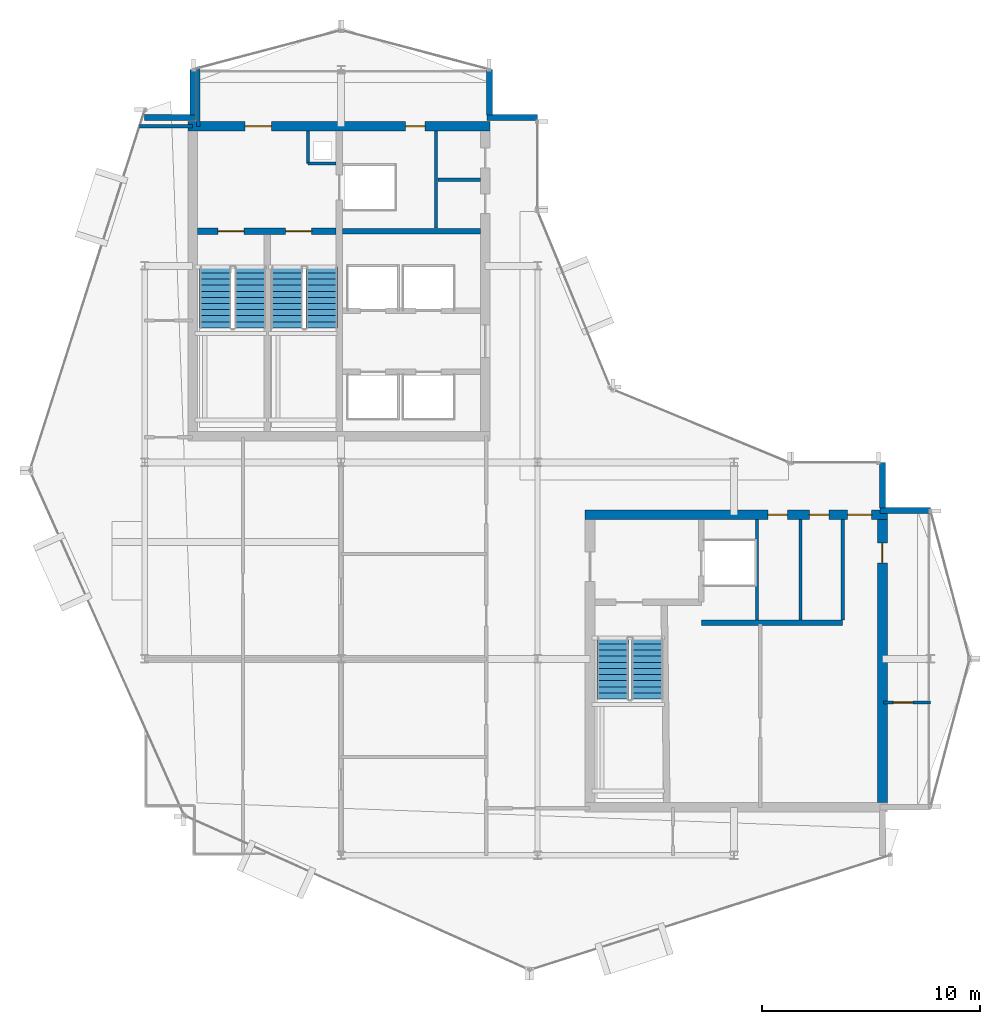
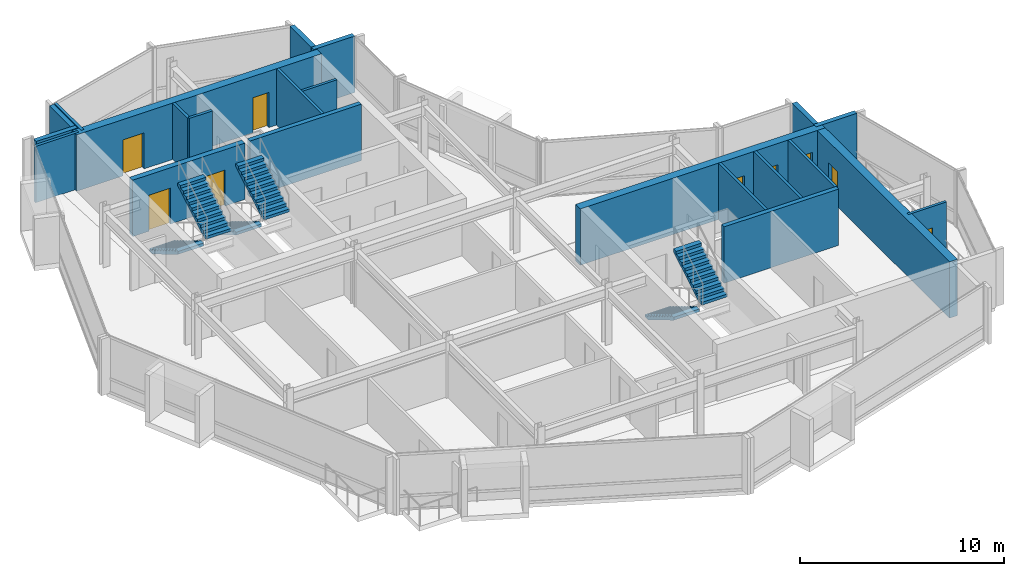
# One storey, part 15 of 19: 22 walls, 9 doors, 6 stair flights, 9 openings, 3 elements without a shape of their own.
"""IFC4 building model written with IfcOpenShell, lengths in metres."""

from ifc_helpers import new_model, si_unit, direction, frame, frame_2d, origin, place, context, subcontext, project, spatial, polyline, rectangle, outline, extrude, material, layer, layer_set, type_object, element, fill, aggregate, save


model = new_model("IFC4")

# Units and contexts
model_context = context("Model", 3, precision=1e-05, world=origin(), true_north=direction((0.0, 1.0)))
body_context = subcontext(model_context, "Body", "Model", "MODEL_VIEW")
ifc_project = project(units=[si_unit("LENGTHUNIT", "METRE"), si_unit("AREAUNIT", "SQUARE_METRE"), si_unit("VOLUMEUNIT", "CUBIC_METRE"), si_unit("PLANEANGLEUNIT", "RADIAN"), si_unit("MASSUNIT", "GRAM", prefix="KILO")], contexts=[model_context])

# Site, building, storey
site_placement = place(None, origin())
site = spatial("IfcSite", under=ifc_project, at=site_placement, CompositionType="ELEMENT")
building_placement = place(site_placement, origin())
building = spatial("IfcBuilding", under=site, at=building_placement, Name="Solvaryn Broadcast Tower", CompositionType="ELEMENT")
storey_placement = place(building_placement, frame((0.0, 0.0, 293.699951171875)))
storey = spatial("IfcBuildingStorey", under=building, at=storey_placement, Name="L74", CompositionType="ELEMENT", Elevation=293.699951171875)

# Wall, openings, doors
ifc_material_1 = material(Name="Concrete f'c 70 MPa", Category="concrete")
ifc_layer_1 = layer(ifc_material_1, 0.449951171875)
ifc_layer_set_1 = layer_set([ifc_layer_1], Name="CW-SHEAR-450")
wall_type_1 = type_object("IfcWallType", Name="CW-SHEAR-450", PredefinedType="SHEAR", material=ifc_layer_set_1)
wall_1_placement = place(storey_placement, frame((24.824951171875, 42.39990234375, 0.0), z_axis=(0.0, 0.0, 1.0), x_axis=(-1.0, 0.0, 0.0)))
wall_1 = element("IfcWall", 1, at=wall_1_placement, inside=storey, type_object=wall_type_1, Name="L74 West Core North Shear Wall", PredefinedType="SHEAR", context=body_context, shape_type="SweptSolid", body=[
    extrude(rectangle(XDim=13.849853515625, YDim=0.449951171875, at=frame_2d((6.9248046875, 0.0))), origin(), (0.0, 0.0, 1.0), 3.3701171875),
])
opening_1_placement = place(wall_1_placement, frame((10.02490234375, 0.0, 0.0)))
opening_1 = element("IfcOpeningElement", 2, at=opening_1_placement, cuts=wall_1, Name="Opening FD90A", PredefinedType="OPENING", context=body_context, shape_type="SweptSolid", body=[
    extrude(rectangle(XDim=1.199951171875, YDim=2.14990234375, at=frame_2d((0.60009765625, 1.074951171875))), frame((0.0, 0.235107421875, 0.0), z_axis=(0.0, -1.0, 0.0), x_axis=(1.0, 0.0, 0.0)), (0.0, 0.0, 1.0), 0.469970703125),
])
opening_2_placement = place(wall_1_placement, frame((2.97509765625, 0.0, 0.0)))
opening_2 = element("IfcOpeningElement", 3, at=opening_2_placement, cuts=wall_1, Name="Opening FD60C", PredefinedType="OPENING", context=body_context, shape_type="SweptSolid", body=[
    extrude(rectangle(XDim=0.89990234375, YDim=2.10009765625, at=frame_2d((0.449951171875, 1.050048828125))), frame((0.0, 0.235107421875, 0.0), z_axis=(0.0, -1.0, 0.0), x_axis=(1.0, 0.0, 0.0)), (0.0, 0.0, 1.0), 0.469970703125),
])
ifc_material_2 = material(Name="Flush Acoustic Steel and Timber Door Assembly", Category="steel")
door_type_1 = type_object("IfcDoorType", Name="FD60-SERV-900X2100", OperationType="NOTDEFINED", PredefinedType="DOOR", material=ifc_material_2)
door_1_placement = place(opening_2_placement, origin())
door_1 = element("IfcDoor", 4, at=door_1_placement, inside=storey, type_object=door_type_1, Name="L74 West Core Fiber Riser Door", OperationType="SINGLE_SWING_RIGHT", OverallHeight=2.10009765625, OverallWidth=0.89990234375, PredefinedType="DOOR", context=body_context, shape_type="SweptSolid", body=[
    extrude(rectangle(XDim=0.89990234375, YDim=2.10009765625, at=frame_2d((0.449951171875, 1.050048828125))), frame((0.0, 0.02490234375, 0.0), z_axis=(0.0, -1.0, 0.0), x_axis=(1.0, 0.0, 0.0)), (0.0, 0.0, 1.0), 0.050048828125),
])
fill(opening_2, door_1)
ifc_material_3 = material(Name="Flush Acoustic Steel and Timber Door Assembly", Category="steel")
door_type_2 = type_object("IfcDoorType", Name="FD90-STAIR-1200X2150", OperationType="NOTDEFINED", PredefinedType="DOOR", material=ifc_material_3)
door_2_placement = place(opening_1_placement, origin())
door_2 = element("IfcDoor", 5, at=door_2_placement, inside=storey, type_object=door_type_2, Name="L74 West FSAE Lobby Corridor Door", OperationType="SINGLE_SWING_LEFT", OverallHeight=2.14990234375, OverallWidth=1.199951171875, PredefinedType="DOOR", context=body_context, shape_type="SweptSolid", body=[
    extrude(rectangle(XDim=1.199951171875, YDim=2.14990234375, at=frame_2d((0.60009765625, 1.074951171875))), frame((0.0, 0.02490234375, 0.0), z_axis=(0.0, -1.0, 0.0), x_axis=(1.0, 0.0, 0.0)), (0.0, 0.0, 1.0), 0.050048828125),
])
fill(opening_1, door_2)

wall_2_placement = place(storey_placement, frame((43.02490234375, 24.60009765625, 0.0), z_axis=(0.0, 0.0, 1.0), x_axis=(-1.0, 0.0, 0.0)))
wall_2 = element("IfcWall", 6, at=wall_2_placement, inside=storey, type_object=wall_type_1, Name="L74 East Core North Shear Wall", PredefinedType="SHEAR", context=body_context, shape_type="SweptSolid", body=[
    extrude(rectangle(XDim=13.849853515625, YDim=0.449951171875, at=frame_2d((6.9248046875, 0.0))), origin(), (0.0, 0.0, 1.0), 3.3701171875),
])
opening_3_placement = place(wall_2_placement, frame((0.72509765625, 0.0, 0.0)))
opening_3 = element("IfcOpeningElement", 7, at=opening_3_placement, cuts=wall_2, Name="Opening FD90C", PredefinedType="OPENING", context=body_context, shape_type="SweptSolid", body=[
    extrude(rectangle(XDim=1.10009765625, YDim=2.14990234375, at=frame_2d((0.550048828125, 1.074951171875))), frame((0.0, 0.235107421875, 0.0), z_axis=(0.0, -1.0, 0.0), x_axis=(1.0, 0.0, 0.0)), (0.0, 0.0, 1.0), 0.469970703125),
])
opening_4_placement = place(wall_2_placement, frame((2.675048828125, 0.0, 0.0)))
opening_4 = element("IfcOpeningElement", 8, at=opening_4_placement, cuts=wall_2, Name="Opening FD60C", PredefinedType="OPENING", context=body_context, shape_type="SweptSolid", body=[
    extrude(rectangle(XDim=0.89990234375, YDim=2.10009765625, at=frame_2d((0.449951171875, 1.050048828125))), frame((0.0, 0.235107421875, 0.0), z_axis=(0.0, -1.0, 0.0), x_axis=(1.0, 0.0, 0.0)), (0.0, 0.0, 1.0), 0.469970703125),
])
opening_5_placement = place(wall_2_placement, frame((4.574951171875, 0.0, 0.0)))
opening_5 = element("IfcOpeningElement", 9, at=opening_5_placement, cuts=wall_2, Name="Opening FD60C", PredefinedType="OPENING", context=body_context, shape_type="SweptSolid", body=[
    extrude(rectangle(XDim=0.89990234375, YDim=2.10009765625, at=frame_2d((0.449951171875, 1.050048828125))), frame((0.0, 0.235107421875, 0.0), z_axis=(0.0, -1.0, 0.0), x_axis=(1.0, 0.0, 0.0)), (0.0, 0.0, 1.0), 0.469970703125),
])
door_3_placement = place(opening_4_placement, origin())
door_3 = element("IfcDoor", 10, at=door_3_placement, inside=storey, type_object=door_type_1, Name="L74 Staff Restroom Door", OperationType="SINGLE_SWING_LEFT", OverallHeight=2.10009765625, OverallWidth=0.89990234375, PredefinedType="DOOR", context=body_context, shape_type="SweptSolid", body=[
    extrude(rectangle(XDim=0.89990234375, YDim=2.10009765625, at=frame_2d((0.449951171875, 1.050048828125))), frame((0.0, 0.02490234375, 0.0), z_axis=(0.0, -1.0, 0.0), x_axis=(1.0, 0.0, 0.0)), (0.0, 0.0, 1.0), 0.050048828125),
])
fill(opening_4, door_3)
door_4_placement = place(opening_5_placement, origin())
door_4 = element("IfcDoor", 11, at=door_4_placement, inside=storey, type_object=door_type_1, Name="L74 Accessible WC Door", OperationType="SINGLE_SWING_RIGHT", OverallHeight=2.10009765625, OverallWidth=0.89990234375, PredefinedType="DOOR", context=body_context, shape_type="SweptSolid", body=[
    extrude(rectangle(XDim=0.89990234375, YDim=2.10009765625, at=frame_2d((0.449951171875, 1.050048828125))), frame((0.0, 0.02490234375, 0.0), z_axis=(0.0, -1.0, 0.0), x_axis=(1.0, 0.0, 0.0)), (0.0, 0.0, 1.0), 0.050048828125),
])
fill(opening_5, door_4)
ifc_material_4 = material(Name="Flush Acoustic Steel and Timber Door Assembly", Category="steel")
door_type_3 = type_object("IfcDoorType", Name="FD90-PLANT-1100X2150", OperationType="NOTDEFINED", PredefinedType="DOOR", material=ifc_material_4)
door_5_placement = place(opening_3_placement, origin())
door_5 = element("IfcDoor", 12, at=door_5_placement, inside=storey, type_object=door_type_3, Name="L74 East Core Lobby Corridor Door", OperationType="SINGLE_SWING_LEFT", OverallHeight=2.14990234375, OverallWidth=1.10009765625, PredefinedType="DOOR", context=body_context, shape_type="SweptSolid", body=[
    extrude(rectangle(XDim=1.10009765625, YDim=2.14990234375, at=frame_2d((0.550048828125, 1.074951171875))), frame((0.0, 0.02490234375, 0.0), z_axis=(0.0, -1.0, 0.0), x_axis=(1.0, 0.0, 0.0)), (0.0, 0.0, 1.0), 0.050048828125),
])
fill(opening_3, door_5)

# Wall, opening, door
wall_3_placement = place(storey_placement, frame((42.800048828125, 11.425048828125, 0.0), z_axis=(0.0, 0.0, 1.0), x_axis=(0.0, 1.0, 0.0)))
wall_3 = element("IfcWall", 13, at=wall_3_placement, inside=storey, type_object=wall_type_1, Name="L74 East Core East Shear Wall", PredefinedType="SHEAR", context=body_context, shape_type="SweptSolid", body=[
    extrude(rectangle(XDim=12.949951171875, YDim=0.449951171875, at=frame_2d((6.47509765625, 0.0))), origin(), (0.0, 0.0, 1.0), 3.3701171875),
])
opening_6_placement = place(wall_3_placement, frame((10.97509765625, 0.0, 0.0)))
opening_6 = element("IfcOpeningElement", 14, at=opening_6_placement, cuts=wall_3, Name="Opening FD60C", PredefinedType="OPENING", context=body_context, shape_type="SweptSolid", body=[
    extrude(rectangle(XDim=0.89990234375, YDim=2.10009765625, at=frame_2d((0.449951171875, 1.050048828125))), frame((0.0, 0.235107421875, 0.0), z_axis=(0.0, -1.0, 0.0), x_axis=(1.0, 0.0, 0.0)), (0.0, 0.0, 1.0), 0.469970703125),
])
door_6_placement = place(opening_6_placement, origin())
door_6 = element("IfcDoor", 15, at=door_6_placement, inside=storey, type_object=door_type_1, Name="L74 Upper East Studio Door", OperationType="SINGLE_SWING_RIGHT", OverallHeight=2.10009765625, OverallWidth=0.89990234375, PredefinedType="DOOR", context=body_context, shape_type="SweptSolid", body=[
    extrude(rectangle(XDim=0.89990234375, YDim=2.10009765625, at=frame_2d((0.449951171875, 1.050048828125))), frame((0.0, 0.02490234375, 0.0), z_axis=(0.0, -1.0, 0.0), x_axis=(1.0, 0.0, 0.0)), (0.0, 0.0, 1.0), 0.050048828125),
])
fill(opening_6, door_6)

# Walls
ifc_material_5 = material(Name="Concrete f'c 50 MPa", Category="concrete")
ifc_layer_2 = layer(ifc_material_5, 0.260009765625)
ifc_layer_set_2 = layer_set([ifc_layer_2], Name="EW-PIER-260")
wall_type_2 = type_object("IfcWallType", Name="EW-PIER-260", PredefinedType="SOLIDWALL", material=ifc_layer_set_2)
wall_4_placement = place(storey_placement, frame((9.0, 42.800048828125, 0.0), z_axis=(0.0, 0.0, 1.0), x_axis=(1.0, 0.0, 0.0)))
element("IfcWall", 16, at=wall_4_placement, inside=storey, type_object=wall_type_2, Name="L74 Notched Corner Pier Wall NNW1", PredefinedType="SOLIDWALL", context=body_context, shape_type="SweptSolid", body=[
    extrude(rectangle(XDim=2.320068359375, YDim=0.260009765625, at=frame_2d((1.16015625, 0.0))), origin(), (0.0, 0.0, 1.0), 3.3701171875),
])
for number, where, z_axis, x_axis, name in (
    (17, (11.199951171875, 42.919921875, 0.0), (0.0, 0.0, 1.0), (0.0, 1.0, 0.0), "L74 Notched Corner Pier Wall NNW2"),
    (18, (24.800048828125, 45.0, 0.0), (0.0, 0.0, 1.0), (0.0, -1.0, 0.0), "L74 Notched Corner Pier Wall NNE1"),
):
    element("IfcWall", number, at=place(storey_placement, frame(where, z_axis=z_axis, x_axis=x_axis)), inside=storey, type_object=wall_type_2, Name=name, PredefinedType="SOLIDWALL", context=body_context, shape_type="SweptSolid", body=[
        extrude(rectangle(XDim=2.080078125, YDim=0.260009765625, at=frame_2d((1.0400390625, 0.0))), origin(), (0.0, 0.0, 1.0), 3.3701171875),
    ])
for number, where, z_axis, x_axis, name in (
    (19, (24.679931640625, 42.800048828125, 0.0), (0.0, 0.0, 1.0), (1.0, 0.0, 0.0), "L74 Notched Corner Pier Wall NNE2"),
    (20, (45.0, 24.800048828125, 0.0), (0.0, 0.0, 1.0), (-1.0, 0.0, 0.0), "L74 Notched Corner Pier Wall NEE1"),
):
    element("IfcWall", number, at=place(storey_placement, frame(where, z_axis=z_axis, x_axis=x_axis)), inside=storey, type_object=wall_type_2, Name=name, PredefinedType="SOLIDWALL", context=body_context, shape_type="SweptSolid", body=[
        extrude(rectangle(XDim=2.320068359375, YDim=0.260009765625, at=frame_2d((1.16015625, 0.0))), origin(), (0.0, 0.0, 1.0), 3.3701171875),
    ])
wall_5_placement = place(storey_placement, frame((42.800048828125, 24.919921875, 0.0), z_axis=(0.0, 0.0, 1.0), x_axis=(0.0, 1.0, 0.0)))
element("IfcWall", 21, at=wall_5_placement, inside=storey, type_object=wall_type_2, Name="L74 Notched Corner Pier Wall NEE2", PredefinedType="SOLIDWALL", context=body_context, shape_type="SweptSolid", body=[
    extrude(rectangle(XDim=2.080078125, YDim=0.260009765625, at=frame_2d((1.0400390625, 0.0))), origin(), (0.0, 0.0, 1.0), 3.3701171875),
])
ifc_material_6 = material(Name="Metal-Stud Service Core Partition")
ifc_layer_3 = layer(ifc_material_6, 0.14990234375)
ifc_layer_set_3 = layer_set([ifc_layer_3], Name="IW-PART-150")
wall_type_3 = type_object("IfcWallType", Name="IW-PART-150", PredefinedType="PARTITIONING", material=ifc_layer_set_3)
wall_6_placement = place(storey_placement, frame((16.47998046875, 40.699951171875, 0.0), z_axis=(0.0, 0.0, 1.0), x_axis=(1.0, 0.0, 0.0)))
element("IfcWall", 22, at=wall_6_placement, inside=storey, type_object=wall_type_3, Name="L74 West Core Riser Shaft South Wall", PredefinedType="PARTITIONING", context=body_context, shape_type="SweptSolid", body=[
    extrude(rectangle(XDim=1.2900390625, YDim=0.14990234375, at=frame_2d((0.64501953125, 0.0))), origin(), (0.0, 0.0, 1.0), 3.3701171875),
])
wall_7_placement = place(storey_placement, frame((16.47998046875, 40.699951171875, 0.0), z_axis=(0.0, 0.0, 1.0), x_axis=(0.0, 1.0, 0.0)))
element("IfcWall", 23, at=wall_7_placement, inside=storey, type_object=wall_type_3, Name="L74 West Core Riser Shaft West Wall", PredefinedType="PARTITIONING", context=body_context, shape_type="SweptSolid", body=[
    extrude(rectangle(XDim=1.47509765625, YDim=0.14990234375, at=frame_2d((0.737548828125, 0.0))), origin(), (0.0, 0.0, 1.0), 3.3701171875),
])
wall_8_placement = place(storey_placement, frame((22.35009765625, 37.72998046875, 0.0), z_axis=(0.0, 0.0, 1.0), x_axis=(0.0, 1.0, 0.0)))
element("IfcWall", 24, at=wall_8_placement, inside=storey, type_object=wall_type_3, Name="L74 Interior Partition IW-L74-CWS-V", PredefinedType="PARTITIONING", context=body_context, shape_type="SweptSolid", body=[
    extrude(rectangle(XDim=4.445068359375, YDim=0.14990234375, at=frame_2d((2.22265625, 0.0))), origin(), (0.0, 0.0, 1.0), 3.3701171875),
])
wall_9_placement = place(storey_placement, frame((22.429931640625, 39.949951171875, 0.0), z_axis=(0.0, 0.0, 1.0), x_axis=(1.0, 0.0, 0.0)))
element("IfcWall", 25, at=wall_9_placement, inside=storey, type_object=wall_type_3, Name="L74 Interior Partition IW-L74-CWS-H", PredefinedType="PARTITIONING", context=body_context, shape_type="SweptSolid", body=[
    extrude(rectangle(XDim=1.945068359375, YDim=0.14990234375, at=frame_2d((0.97265625, 0.0))), origin(), (0.0, 0.0, 1.0), 3.3701171875),
])
for number, where, z_axis, x_axis, name in (
    (26, (37.050048828125, 19.780029296875, 0.0), (0.0, 0.0, 1.0), (0.0, 1.0, 0.0), "L74 Interior Partition IW-L74-CE-FL2E"),
    (27, (39.050048828125, 19.780029296875, 0.0), (0.0, 0.0, 1.0), (0.0, 1.0, 0.0), "L74 Interior Partition IW-L74-CE-V1"),
    (28, (40.97998046875, 19.780029296875, 0.0), (0.0, 0.0, 1.0), (0.0, 1.0, 0.0), "L74 Interior Partition IW-L74-CE-V3"),
):
    element("IfcWall", number, at=place(storey_placement, frame(where, z_axis=z_axis, x_axis=x_axis)), inside=storey, type_object=wall_type_3, Name=name, PredefinedType="PARTITIONING", context=body_context, shape_type="SweptSolid", body=[
        extrude(rectangle(XDim=4.594970703125, YDim=0.14990234375, at=frame_2d((2.29736328125, 0.0))), origin(), (0.0, 0.0, 1.0), 3.3701171875),
    ])

# Wall, opening, door
wall_10_placement = place(storey_placement, frame((42.85009765625, 16.0, 0.0), z_axis=(0.0, 0.0, 1.0), x_axis=(1.0, 0.0, 0.0)))
wall_10 = element("IfcWall", 29, at=wall_10_placement, inside=storey, type_object=wall_type_3, Name="L74 Interior Partition IW-L74-E4M", PredefinedType="PARTITIONING", context=body_context, shape_type="SweptSolid", body=[
    extrude(rectangle(XDim=2.14990234375, YDim=0.14990234375, at=frame_2d((1.074951171875, 0.0))), origin(), (0.0, 0.0, 1.0), 3.3701171875),
])
opening_7_placement = place(wall_10_placement, frame((0.449951171875, 0.0, 0.0)))
opening_7 = element("IfcOpeningElement", 30, at=opening_7_placement, cuts=wall_10, Name="Opening FD60C", PredefinedType="OPENING", context=body_context, shape_type="SweptSolid", body=[
    extrude(rectangle(XDim=0.89990234375, YDim=2.10009765625, at=frame_2d((0.449951171875, 1.050048828125))), frame((0.0, 0.0849609375, 0.0), z_axis=(0.0, -1.0, 0.0), x_axis=(1.0, 0.0, 0.0)), (0.0, 0.0, 1.0), 0.169921875),
])
door_7_placement = place(opening_7_placement, origin())
door_7 = element("IfcDoor", 31, at=door_7_placement, inside=storey, type_object=door_type_1, Name="L74 Door DR-L74-E4M", OperationType="SINGLE_SWING_RIGHT", OverallHeight=2.10009765625, OverallWidth=0.89990234375, PredefinedType="DOOR", context=body_context, shape_type="SweptSolid", body=[
    extrude(rectangle(XDim=0.89990234375, YDim=2.10009765625, at=frame_2d((0.449951171875, 1.050048828125))), frame((0.0, 0.02490234375, 0.0), z_axis=(0.0, -1.0, 0.0), x_axis=(1.0, 0.0, 0.0)), (0.0, 0.0, 1.0), 0.050048828125),
])
fill(opening_7, door_7)

# Walls
ifc_material_7 = material(Name="Metal-Stud Gypsum Office Partition")
ifc_layer_4 = layer(ifc_material_7, 0.159912109375)
ifc_layer_set_4 = layer_set([ifc_layer_4], Name="IW-PART-160")
wall_type_4 = type_object("IfcWallType", Name="IW-PART-160", PredefinedType="PARTITIONING", material=ifc_layer_set_4)
wall_11_placement = place(storey_placement, frame((8.760986328125, 42.39990234375, 0.0), z_axis=(0.0, 0.0, 1.0), x_axis=(1.0, 0.0, 0.0)))
element("IfcWall", 32, at=wall_11_placement, inside=storey, type_object=wall_type_4, Name="L74 Interior Partition IW-L74-WM-N", PredefinedType="PARTITIONING", context=body_context, shape_type="SweptSolid", body=[
    extrude(rectangle(XDim=2.43896484375, YDim=0.159912109375, at=frame_2d((1.219482421875, 0.0))), origin(), (0.0, 0.0, 1.0), 3.3701171875),
])
wall_12_placement = place(storey_placement, frame((11.449951171875, 42.39990234375, 0.0), z_axis=(0.0, 0.0, 1.0), x_axis=(0.0, 1.0, 0.0)))
element("IfcWall", 33, at=wall_12_placement, inside=storey, type_object=wall_type_4, Name="L74 Interior Partition IW-L74-WM-E", PredefinedType="PARTITIONING", context=body_context, shape_type="SweptSolid", body=[
    extrude(rectangle(XDim=2.666015625, YDim=0.159912109375, at=frame_2d((1.3330078125, 0.0))), origin(), (0.0, 0.0, 1.0), 3.3701171875),
])
ifc_material_8 = material(Name="Concrete f'c 60 MPa", Category="concrete")
ifc_layer_5 = layer(ifc_material_8, 0.25)
ifc_layer_set_5 = layer_set([ifc_layer_5], Name="SW-SHAFT-250")
wall_type_5 = type_object("IfcWallType", Name="SW-SHAFT-250", PredefinedType="PARTITIONING", material=ifc_layer_set_5)
wall_13_placement = place(storey_placement, frame((18.070068359375, 37.60009765625, 0.0), z_axis=(0.0, 0.0, 1.0), x_axis=(1.0, 0.0, 0.0)))
element("IfcWall", 34, at=wall_13_placement, inside=storey, type_object=wall_type_5, Name="L74 West Core FSAE Hoistway Front Wall", PredefinedType="PARTITIONING", context=body_context, shape_type="SweptSolid", body=[
    extrude(rectangle(XDim=6.304931640625, YDim=0.25, at=frame_2d((3.15234375, 0.0))), origin(), (0.0, 0.0, 1.0), 3.3701171875),
])
wall_14_placement = place(storey_placement, frame((34.5, 19.64990234375, 0.0), z_axis=(0.0, 0.0, 1.0), x_axis=(1.0, 0.0, 0.0)))
element("IfcWall", 35, at=wall_14_placement, inside=storey, type_object=wall_type_5, Name="L74 East Core Restroom South Wall", PredefinedType="PARTITIONING", context=body_context, shape_type="SweptSolid", body=[
    extrude(rectangle(XDim=6.47998046875, YDim=0.25, at=frame_2d((3.239990234375, 0.0))), origin(), (0.0, 0.0, 1.0), 3.3701171875),
])

# Wall, openings, doors
ifc_material_9 = material(Name="Concrete f'c 70 MPa", Category="concrete")
ifc_layer_6 = layer(ifc_material_9, 0.300048828125)
ifc_layer_set_6 = layer_set([ifc_layer_6], Name="SW-SHAFT-300")
wall_type_6 = type_object("IfcWallType", Name="SW-SHAFT-300", PredefinedType="SHEAR", material=ifc_layer_set_6)
wall_15_placement = place(storey_placement, frame((17.77001953125, 37.60009765625, 0.0), z_axis=(0.0, 0.0, 1.0), x_axis=(-1.0, 0.0, 0.0)))
wall_15 = element("IfcWall", 36, at=wall_15_placement, inside=storey, type_object=wall_type_6, Name="L74 West Core FSAE Lobby South Wall", PredefinedType="SHEAR", context=body_context, shape_type="SweptSolid", body=[
    extrude(rectangle(XDim=6.344970703125, YDim=0.300048828125, at=frame_2d((3.17236328125, 0.0))), origin(), (0.0, 0.0, 1.0), 3.3701171875),
])
opening_8_placement = place(wall_15_placement, frame((4.219970703125, 0.0, 0.0)))
opening_8 = element("IfcOpeningElement", 37, at=opening_8_placement, cuts=wall_15, Name="Opening FD90A", PredefinedType="OPENING", context=body_context, shape_type="SweptSolid", body=[
    extrude(rectangle(XDim=1.199951171875, YDim=2.14990234375, at=frame_2d((0.60009765625, 1.074951171875))), frame((0.0, 0.159912109375, 0.0), z_axis=(0.0, -1.0, 0.0), x_axis=(1.0, 0.0, 0.0)), (0.0, 0.0, 1.0), 0.320068359375),
])
opening_9_placement = place(wall_15_placement, frame((1.1201171875, 0.0, 0.0)))
opening_9 = element("IfcOpeningElement", 38, at=opening_9_placement, cuts=wall_15, Name="Opening FD90A", PredefinedType="OPENING", context=body_context, shape_type="SweptSolid", body=[
    extrude(rectangle(XDim=1.199951171875, YDim=2.14990234375, at=frame_2d((0.60009765625, 1.074951171875))), frame((0.0, 0.159912109375, 0.0), z_axis=(0.0, -1.0, 0.0), x_axis=(1.0, 0.0, 0.0)), (0.0, 0.0, 1.0), 0.320068359375),
])
door_8_placement = place(opening_8_placement, origin())
door_8 = element("IfcDoor", 39, at=door_8_placement, inside=storey, type_object=door_type_2, Name="L74 Stair 1 Fire Door", OperationType="SINGLE_SWING_LEFT", OverallHeight=2.14990234375, OverallWidth=1.199951171875, PredefinedType="DOOR", context=body_context, shape_type="SweptSolid", body=[
    extrude(rectangle(XDim=1.199951171875, YDim=2.14990234375, at=frame_2d((0.60009765625, 1.074951171875))), frame((0.0, 0.02490234375, 0.0), z_axis=(0.0, -1.0, 0.0), x_axis=(1.0, 0.0, 0.0)), (0.0, 0.0, 1.0), 0.050048828125),
])
fill(opening_8, door_8)
door_9_placement = place(opening_9_placement, origin())
door_9 = element("IfcDoor", 40, at=door_9_placement, inside=storey, type_object=door_type_2, Name="L74 Stair 2 Fire Door", OperationType="SINGLE_SWING_RIGHT", OverallHeight=2.14990234375, OverallWidth=1.199951171875, PredefinedType="DOOR", context=body_context, shape_type="SweptSolid", body=[
    extrude(rectangle(XDim=1.199951171875, YDim=2.14990234375, at=frame_2d((0.60009765625, 1.074951171875))), frame((0.0, 0.02490234375, 0.0), z_axis=(0.0, -1.0, 0.0), x_axis=(1.0, 0.0, 0.0)), (0.0, 0.0, 1.0), 0.050048828125),
])
fill(opening_9, door_9)

# Stair, stair flights
ifc_material_10 = material(Name="Concrete f'c 60 MPa", Category="concrete")
stair_type = type_object("IfcStairType", Name="ST-CORE", PredefinedType="HALF_TURN_STAIR", material=ifc_material_10)
stair_1_placement = place(storey_placement, origin())
stair_1 = element("IfcStair", 41, at=stair_1_placement, inside=storey, type_object=stair_type, Name="L74 ST1", PredefinedType="HALF_TURN_STAIR")
ifc_material_11 = material(Name="Concrete f'c 60 MPa", Category="concrete")
ifc_layer_7 = layer(ifc_material_11, 0.159912109375)
ifc_layer_set_7 = layer_set([ifc_layer_7], Name="SF-CORE")
stair_flight_type = type_object("IfcStairFlightType", Name="SF-CORE", PredefinedType="STRAIGHT", material=ifc_layer_set_7)
stair_flight_1_placement = place(storey_placement, frame((12.239990234375, 35.9599609375, 0.0), z_axis=(0.0, 0.0, 1.0), x_axis=(0.0, -1.0, 0.0)))
stair_flight_1 = element("IfcStairFlight", 42, at=stair_flight_1_placement, type_object=stair_flight_type, Name="ST1 flight 1", NumberOfRisers=11, NumberOfTreads=10, PredefinedType="STRAIGHT", RiserHeight=0.168181818, TreadLength=0.28, context=body_context, shape_type="SweptSolid", body=[
    extrude(outline(polyline([(0.0, 0.0), (0.0, 0.168212890625), (0.280029296875, 0.168212890625), (0.280029296875, 0.33642578125), (0.56005859375, 0.33642578125), (0.56005859375, 0.504638671875), (0.840087890625, 0.504638671875), (0.840087890625, 0.672607421875), (1.1201171875, 0.672607421875), (1.1201171875, 0.8408203125), (1.39990234375, 0.8408203125), (1.39990234375, 1.009033203125), (1.679931640625, 1.009033203125), (1.679931640625, 1.17724609375), (1.9599609375, 1.17724609375), (1.9599609375, 1.345458984375), (2.239990234375, 1.345458984375), (2.239990234375, 1.513671875), (2.52001953125, 1.513671875), (2.52001953125, 1.681884765625), (2.800048828125, 1.681884765625), (2.800048828125, 1.85009765625), (2.800048828125, 1.5068359375), (0.291015625, 0.0), (0.0, 0.0)])), frame((0.0, 0.719970703125, 0.0), z_axis=(0.0, -1.0, 0.0), x_axis=(1.0, 0.0, 0.0)), (0.0, 0.0, 1.0), 1.43994140625),
])
stair_flight_2_placement = place(storey_placement, frame((13.830078125, 33.159912109375, 1.85009765625), z_axis=(0.0, 0.0, 1.0), x_axis=(0.0, 1.0, 0.0)))
stair_flight_2 = element("IfcStairFlight", 43, at=stair_flight_2_placement, type_object=stair_flight_type, Name="ST1 flight 2", NumberOfRisers=11, NumberOfTreads=10, PredefinedType="STRAIGHT", RiserHeight=0.168181818, TreadLength=0.28, context=body_context, shape_type="SweptSolid", body=[
    extrude(outline(polyline([(0.0, 0.0), (0.0, 0.168212890625), (0.280029296875, 0.168212890625), (0.280029296875, 0.33642578125), (0.56005859375, 0.33642578125), (0.56005859375, 0.504638671875), (0.840087890625, 0.504638671875), (0.840087890625, 0.672607421875), (1.1201171875, 0.672607421875), (1.1201171875, 0.8408203125), (1.39990234375, 0.8408203125), (1.39990234375, 1.009033203125), (1.679931640625, 1.009033203125), (1.679931640625, 1.17724609375), (1.9599609375, 1.17724609375), (1.9599609375, 1.345458984375), (2.239990234375, 1.345458984375), (2.239990234375, 1.513671875), (2.52001953125, 1.513671875), (2.52001953125, 1.681884765625), (2.800048828125, 1.681884765625), (2.800048828125, 1.85009765625), (2.800048828125, 1.5068359375), (0.291015625, 0.0), (0.0, 0.0)])), frame((0.0, 0.719970703125, 0.0), z_axis=(0.0, -1.0, 0.0), x_axis=(1.0, 0.0, 0.0)), (0.0, 0.0, 1.0), 1.43994140625),
])
aggregate(stair_1, [stair_flight_1, stair_flight_2])

stair_2_placement = place(storey_placement, origin())
stair_2 = element("IfcStair", 44, at=stair_2_placement, inside=storey, type_object=stair_type, Name="L74 ST2", PredefinedType="HALF_TURN_STAIR")
stair_flight_3_placement = place(storey_placement, frame((15.52001953125, 35.9599609375, 0.0), z_axis=(0.0, 0.0, 1.0), x_axis=(0.0, -1.0, 0.0)))
stair_flight_3 = element("IfcStairFlight", 45, at=stair_flight_3_placement, type_object=stair_flight_type, Name="ST2 flight 1", NumberOfRisers=11, NumberOfTreads=10, PredefinedType="STRAIGHT", RiserHeight=0.168181818, TreadLength=0.28, context=body_context, shape_type="SweptSolid", body=[
    extrude(outline(polyline([(0.0, 0.0), (0.0, 0.168212890625), (0.280029296875, 0.168212890625), (0.280029296875, 0.33642578125), (0.56005859375, 0.33642578125), (0.56005859375, 0.504638671875), (0.840087890625, 0.504638671875), (0.840087890625, 0.672607421875), (1.1201171875, 0.672607421875), (1.1201171875, 0.8408203125), (1.39990234375, 0.8408203125), (1.39990234375, 1.009033203125), (1.679931640625, 1.009033203125), (1.679931640625, 1.17724609375), (1.9599609375, 1.17724609375), (1.9599609375, 1.345458984375), (2.239990234375, 1.345458984375), (2.239990234375, 1.513671875), (2.52001953125, 1.513671875), (2.52001953125, 1.681884765625), (2.800048828125, 1.681884765625), (2.800048828125, 1.85009765625), (2.800048828125, 1.5068359375), (0.291015625, 0.0), (0.0, 0.0)])), frame((0.0, 0.719970703125, 0.0), z_axis=(0.0, -1.0, 0.0), x_axis=(1.0, 0.0, 0.0)), (0.0, 0.0, 1.0), 1.43994140625),
])
stair_flight_4_placement = place(storey_placement, frame((17.110107421875, 33.159912109375, 1.85009765625), z_axis=(0.0, 0.0, 1.0), x_axis=(0.0, 1.0, 0.0)))
stair_flight_4 = element("IfcStairFlight", 46, at=stair_flight_4_placement, type_object=stair_flight_type, Name="ST2 flight 2", NumberOfRisers=11, NumberOfTreads=10, PredefinedType="STRAIGHT", RiserHeight=0.168181818, TreadLength=0.28, context=body_context, shape_type="SweptSolid", body=[
    extrude(outline(polyline([(0.0, 0.0), (0.0, 0.168212890625), (0.280029296875, 0.168212890625), (0.280029296875, 0.33642578125), (0.56005859375, 0.33642578125), (0.56005859375, 0.504638671875), (0.840087890625, 0.504638671875), (0.840087890625, 0.672607421875), (1.1201171875, 0.672607421875), (1.1201171875, 0.8408203125), (1.39990234375, 0.8408203125), (1.39990234375, 1.009033203125), (1.679931640625, 1.009033203125), (1.679931640625, 1.17724609375), (1.9599609375, 1.17724609375), (1.9599609375, 1.345458984375), (2.239990234375, 1.345458984375), (2.239990234375, 1.513671875), (2.52001953125, 1.513671875), (2.52001953125, 1.681884765625), (2.800048828125, 1.681884765625), (2.800048828125, 1.85009765625), (2.800048828125, 1.5068359375), (0.291015625, 0.0), (0.0, 0.0)])), frame((0.0, 0.719970703125, 0.0), z_axis=(0.0, -1.0, 0.0), x_axis=(1.0, 0.0, 0.0)), (0.0, 0.0, 1.0), 1.43994140625),
])
aggregate(stair_2, [stair_flight_3, stair_flight_4])

stair_3_placement = place(storey_placement, origin())
stair_3 = element("IfcStair", 47, at=stair_3_placement, inside=storey, type_object=stair_type, Name="L74 ST3", PredefinedType="HALF_TURN_STAIR")
stair_flight_5_placement = place(storey_placement, frame((30.43994140625, 18.9599609375, 0.0), z_axis=(0.0, 0.0, 1.0), x_axis=(0.0, -1.0, 0.0)))
stair_flight_5 = element("IfcStairFlight", 48, at=stair_flight_5_placement, type_object=stair_flight_type, Name="ST3 flight 1", NumberOfRisers=11, NumberOfTreads=10, PredefinedType="STRAIGHT", RiserHeight=0.168181818, TreadLength=0.28, context=body_context, shape_type="SweptSolid", body=[
    extrude(outline(polyline([(0.0, 0.0), (0.0, 0.168212890625), (0.280029296875, 0.168212890625), (0.280029296875, 0.33642578125), (0.56005859375, 0.33642578125), (0.56005859375, 0.504638671875), (0.840087890625, 0.504638671875), (0.840087890625, 0.672607421875), (1.1201171875, 0.672607421875), (1.1201171875, 0.8408203125), (1.39990234375, 0.8408203125), (1.39990234375, 1.009033203125), (1.679931640625, 1.009033203125), (1.679931640625, 1.17724609375), (1.9599609375, 1.17724609375), (1.9599609375, 1.345458984375), (2.239990234375, 1.345458984375), (2.239990234375, 1.513671875), (2.52001953125, 1.513671875), (2.52001953125, 1.681884765625), (2.800048828125, 1.681884765625), (2.800048828125, 1.85009765625), (2.800048828125, 1.5068359375), (0.291015625, 0.0), (0.0, 0.0)])), frame((0.0, 0.719970703125, 0.0), z_axis=(0.0, -1.0, 0.0), x_axis=(1.0, 0.0, 0.0)), (0.0, 0.0, 1.0), 1.43994140625),
])
stair_flight_6_placement = place(storey_placement, frame((32.030029296875, 16.159912109375, 1.85009765625), z_axis=(0.0, 0.0, 1.0), x_axis=(0.0, 1.0, 0.0)))
stair_flight_6 = element("IfcStairFlight", 49, at=stair_flight_6_placement, type_object=stair_flight_type, Name="ST3 flight 2", NumberOfRisers=11, NumberOfTreads=10, PredefinedType="STRAIGHT", RiserHeight=0.168181818, TreadLength=0.28, context=body_context, shape_type="SweptSolid", body=[
    extrude(outline(polyline([(0.0, 0.0), (0.0, 0.168212890625), (0.280029296875, 0.168212890625), (0.280029296875, 0.33642578125), (0.56005859375, 0.33642578125), (0.56005859375, 0.504638671875), (0.840087890625, 0.504638671875), (0.840087890625, 0.672607421875), (1.1201171875, 0.672607421875), (1.1201171875, 0.8408203125), (1.39990234375, 0.8408203125), (1.39990234375, 1.009033203125), (1.679931640625, 1.009033203125), (1.679931640625, 1.17724609375), (1.9599609375, 1.17724609375), (1.9599609375, 1.345458984375), (2.239990234375, 1.345458984375), (2.239990234375, 1.513671875), (2.52001953125, 1.513671875), (2.52001953125, 1.681884765625), (2.800048828125, 1.681884765625), (2.800048828125, 1.85009765625), (2.800048828125, 1.5068359375), (0.291015625, 0.0), (0.0, 0.0)])), frame((0.0, 0.719970703125, 0.0), z_axis=(0.0, -1.0, 0.0), x_axis=(1.0, 0.0, 0.0)), (0.0, 0.0, 1.0), 1.43994140625),
])
aggregate(stair_3, [stair_flight_5, stair_flight_6])

save(model, "model.ifc")
